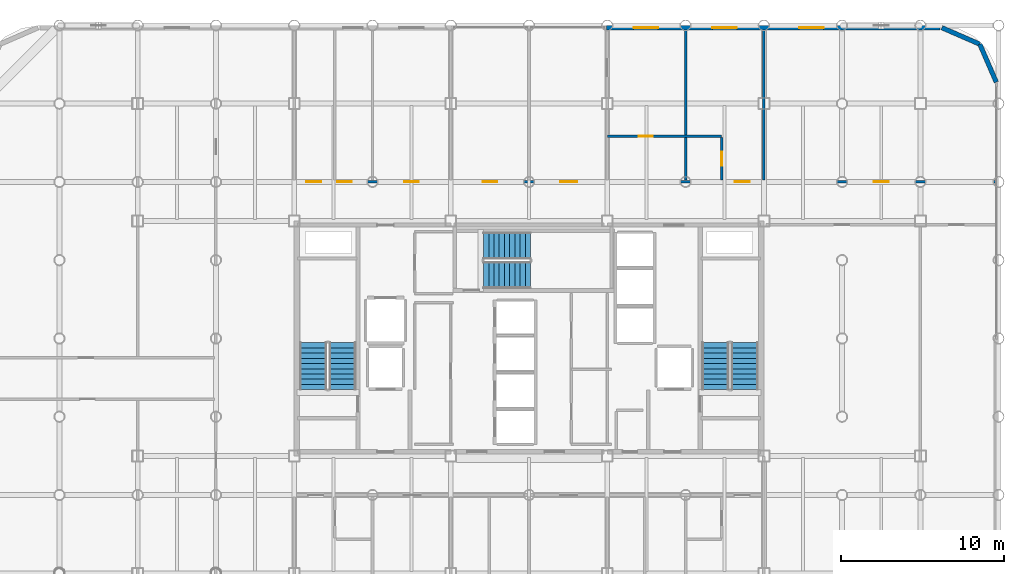
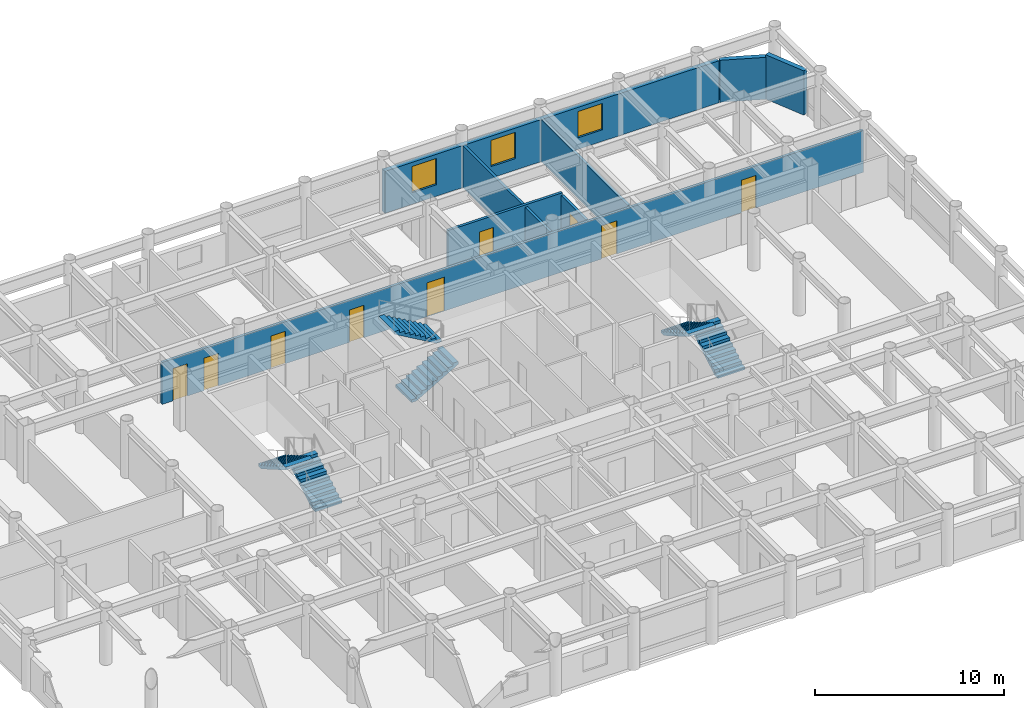
# One storey, part 19 of 20: 9 doors, 8 walls, 6 stair flights, 3 windows, 12 openings, 3 elements without a shape of their own.
"""IFC4 building model written with IfcOpenShell, lengths in metres."""

import ifcopenshell
import ifcopenshell.guid

model = None  # the IFC model being written
_history = None  # IfcOwnerHistory: only IFC2X3 demands one
_inside = {}  # id of a spatial element -> (the spatial element, [elements in it])
_under = {}  # id of a project, library or spatial element -> (it, [spatial elements below it])
_declared = {}  # id of a project -> (the project, [libraries it declares])
_typed = {}  # id of a type object -> (the type object, [elements of that type])
_made_of = {}  # id of a material, layer set ... -> (it, [elements and type objects made of it])


def new_model(schema):
    """Start an empty IFC model of exactly this schema.

    Asked for "IFC4X3", IfcOpenShell would pick the latest addendum, in which some entities
    have other attributes; the version numbers below select the first issue.
    IFC2X3 requires an IfcOwnerHistory on every rooted entity: one is made here for all.
    """
    global model, _history
    if schema == "IFC4X3":
        model = ifcopenshell.file(schema_version=(4, 3, 0, 0))
    else:
        model = ifcopenshell.file(schema=schema)
    _inside.clear()
    _under.clear()
    _declared.clear()
    _typed.clear()
    _made_of.clear()
    _history = None
    if model.schema == "IFC2X3":
        org = make("IfcOrganization", Name="unknown")
        user = make(
            "IfcPersonAndOrganization",
            ThePerson=make("IfcPerson", FamilyName="unknown"),
            TheOrganization=org,
        )
        app = make(
            "IfcApplication",
            ApplicationDeveloper=org,
            Version="unknown",
            ApplicationFullName="unknown",
            ApplicationIdentifier="unknown",
        )
        _history = make(
            "IfcOwnerHistory",
            OwningUser=user,
            OwningApplication=app,
            ChangeAction="ADDED",
            CreationDate=0,
        )
    return model


def make(cls, **values):
    """One entity of the class cls with the attributes given. An attribute that is None is left unset."""
    return model.create_entity(
        cls, **{name: value for name, value in values.items() if value is not None}
    )


def rooted(cls, **values):
    """An entity with a GlobalId (a new one), such as an element, a storey or a relation."""
    return make(cls, GlobalId=ifcopenshell.guid.new(), OwnerHistory=_history, **values)


def si_unit(unit_type, name, prefix=None):
    """IfcSIUnit, for example si_unit("LENGTHUNIT", "METRE", prefix="MILLI")."""
    return make("IfcSIUnit", UnitType=unit_type, Prefix=prefix, Name=name)


def assignment(units):
    """IfcUnitAssignment: the units of a project."""
    return None if units is None else make("IfcUnitAssignment", Units=units)


def point(xyz):
    """IfcCartesianPoint."""
    return None if xyz is None else make("IfcCartesianPoint", Coordinates=xyz)


def direction(xyz):
    """IfcDirection."""
    return None if xyz is None else make("IfcDirection", DirectionRatios=xyz)


def frame(location, z_axis=None, x_axis=None):
    """IfcAxis2Placement3D, a coordinate frame: its origin and axes. An axis left out is left unset."""
    return make(
        "IfcAxis2Placement3D",
        Location=point(location),
        Axis=direction(z_axis),
        RefDirection=direction(x_axis),
    )


def frame_2d(location, x_axis=None):
    """IfcAxis2Placement2D, a coordinate frame in the plane: its origin and x axis."""
    return make(
        "IfcAxis2Placement2D", Location=point(location), RefDirection=direction(x_axis)
    )


def origin():
    """The frame at (0, 0, 0) with its axes left unset."""
    return frame((0.0, 0.0, 0.0))


def place(relative_to, where):
    """IfcLocalPlacement: puts the frame where relative to a parent placement (None: the world)."""
    return make(
        "IfcLocalPlacement", PlacementRelTo=relative_to, RelativePlacement=where
    )


def context(
    kind, dimensions, precision=None, world=None, true_north=None, identifier=None
):
    """IfcGeometricRepresentationContext, for example the 3D "Model" context."""
    return make(
        "IfcGeometricRepresentationContext",
        ContextIdentifier=identifier,
        ContextType=kind,
        CoordinateSpaceDimension=dimensions,
        Precision=precision,
        WorldCoordinateSystem=world,
        TrueNorth=true_north,
    )


def subcontext(parent, identifier, kind, view, scale=None):
    """IfcGeometricRepresentationSubContext, for example "Body" below "Model"."""
    return make(
        "IfcGeometricRepresentationSubContext",
        ContextIdentifier=identifier,
        ContextType=kind,
        ParentContext=parent,
        TargetScale=scale,
        TargetView=view,
    )


def project(units=None, contexts=None):
    """IfcProject with its units and contexts."""
    return rooted(
        "IfcProject",
        Name="project",
        RepresentationContexts=contexts,
        UnitsInContext=assignment(units),
    )


def spatial(cls, under=None, at=None, **own):
    """A site, building, storey or space (cls), placed at a placement, below another one or the project."""
    s = rooted(cls, ObjectPlacement=at, **own)
    if under is not None:
        _under.setdefault(under.id(), (under, []))[1].append(s)
    return s


def polyline(points):
    """IfcPolyline through the points."""
    return make("IfcPolyline", Points=[point(p) for p in points])


def profile(cls, at=None, kind="AREA", **sizes):
    """A parametric profile (cls). Its sizes go by their IFC names, for example OverallWidth=200.0."""
    return make(cls, ProfileType=kind, Position=at, **sizes)


def rectangle(**sizes):
    """IfcRectangleProfileDef."""
    return profile("IfcRectangleProfileDef", **sizes)


def outline(outer, holes=None, kind="AREA"):
    """IfcArbitraryClosedProfileDef: a profile drawn as a closed curve; with holes, ...WithVoids."""
    if holes is None:
        return make("IfcArbitraryClosedProfileDef", ProfileType=kind, OuterCurve=outer)
    return make(
        "IfcArbitraryProfileDefWithVoids",
        ProfileType=kind,
        OuterCurve=outer,
        InnerCurves=holes,
    )


def extrude(swept, where, along, depth):
    """IfcExtrudedAreaSolid: the profile swept, set in the frame where, extruded along a direction by depth."""
    return make(
        "IfcExtrudedAreaSolid",
        SweptArea=swept,
        Position=where,
        ExtrudedDirection=direction(along),
        Depth=depth,
    )


def shape(context_of_items, identifier, shape_type, items):
    """IfcShapeRepresentation: the items that make up one representation, for example the "Body"."""
    return make(
        "IfcShapeRepresentation",
        ContextOfItems=context_of_items,
        RepresentationIdentifier=identifier,
        RepresentationType=shape_type,
        Items=items,
    )


def material(Name=None, Category=None):
    """IfcMaterial."""
    return make("IfcMaterial", Name=Name, Category=Category)


def layer(
    of_material, thickness, ventilated=None, Name=None, Category=None, Priority=None
):
    """IfcMaterialLayer: one layer of a wall or slab, of a material (None: an air gap)."""
    return make(
        "IfcMaterialLayer",
        Material=of_material,
        LayerThickness=thickness,
        IsVentilated=ventilated,
        Name=Name,
        Category=Category,
        Priority=Priority,
    )


def layer_set(layers, Name=None):
    """IfcMaterialLayerSet."""
    return make("IfcMaterialLayerSet", MaterialLayers=layers, LayerSetName=Name)


def made_of(thing, what):
    """Note that an element or type object is made of a material, layer set ...; save() writes the relation."""
    if what is not None:
        _made_of.setdefault(what.id(), (what, []))[1].append(thing)
    return thing


def type_object(cls, material=None, **own):
    """A type object (cls), such as IfcWallType, which elements share."""
    return made_of(rooted(cls, **own), material)


def element(
    cls,
    number,
    at=None,
    inside=None,
    cuts=None,
    type_object=None,
    material=None,
    context=None,
    identifier="Body",
    shape_type=None,
    held_by="IfcProductDefinitionShape",
    body=None,
    shapes=None,
    **own,
):
    """One element of the class cls, such as IfcWall. Its Tag is "e" and its number.

    at: its placement. inside: the storey or other place that contains it. cuts: it is an
    opening in that element (IfcRelVoidsElement). A single representation is given by context,
    identifier, shape_type and body (its items); several are given by shapes. held_by: the class
    of the entity that holds the representations. save() writes the other relations.
    """
    e = rooted(cls, Tag="e%d" % number, ObjectPlacement=at, **own)
    if body is not None:
        shapes = [shape(context, identifier, shape_type, body)]
    if shapes is not None:
        e.Representation = make(held_by, Representations=shapes)
    if inside is not None:
        _inside.setdefault(inside.id(), (inside, []))[1].append(e)
    if cuts is not None:
        rooted(
            "IfcRelVoidsElement", RelatingBuildingElement=cuts, RelatedOpeningElement=e
        )
    if type_object is not None:
        _typed.setdefault(type_object.id(), (type_object, []))[1].append(e)
    return made_of(e, material)


def fill(opening, filler):
    """IfcRelFillsElement: the door or window that sits in an opening."""
    return rooted(
        "IfcRelFillsElement",
        RelatingOpeningElement=opening,
        RelatedBuildingElement=filler,
    )


def aggregate(whole, parts):
    """IfcRelAggregates: a whole, such as a stair, and the parts it consists of."""
    return rooted("IfcRelAggregates", RelatingObject=whole, RelatedObjects=parts)


def save(model, path):
    """Write the relations noted so far, then the file.

    IfcRelAggregates (storeys below a building ...), IfcRelContainedInSpatialStructure (elements
    in a storey), IfcRelDefinesByType, IfcRelAssociatesMaterial and IfcRelDeclares: one each for
    every whole, place, type object, material and project.
    """
    for whole, parts in _under.values():
        aggregate(whole, parts)
    for where, things in _inside.values():
        rooted(
            "IfcRelContainedInSpatialStructure",
            RelatedElements=things,
            RelatingStructure=where,
        )
    for kind, things in _typed.values():
        rooted("IfcRelDefinesByType", RelatedObjects=things, RelatingType=kind)
    for what, things in _made_of.values():
        rooted("IfcRelAssociatesMaterial", RelatedObjects=things, RelatingMaterial=what)
    for by, libraries in _declared.values():
        rooted("IfcRelDeclares", RelatingContext=by, RelatedDefinitions=libraries)
    model.write(path)


model = new_model("IFC4")

# Units and contexts
model_context = context("Model", 3, precision=1e-05, world=origin(), true_north=direction((0.0, 1.0)))
body_context = subcontext(model_context, "Body", "Model", "MODEL_VIEW")
ifc_project = project(units=[si_unit("LENGTHUNIT", "METRE"), si_unit("AREAUNIT", "SQUARE_METRE"), si_unit("VOLUMEUNIT", "CUBIC_METRE"), si_unit("PLANEANGLEUNIT", "RADIAN"), si_unit("MASSUNIT", "GRAM", prefix="KILO")], contexts=[model_context])

# Site, building, storey
site_placement = place(None, origin())
site = spatial("IfcSite", under=ifc_project, at=site_placement, CompositionType="ELEMENT")
building_placement = place(site_placement, origin())
building = spatial("IfcBuilding", under=site, at=building_placement, Name="Kallvorn Hotel Tower", CompositionType="ELEMENT")
storey_placement = place(building_placement, frame((0.0, 0.0, 158.10009765625)))
storey = spatial("IfcBuildingStorey", under=building, at=storey_placement, Name="L39", CompositionType="ELEMENT", Elevation=158.10009765625)

# Wall, openings, doors
ifc_material_1 = material(Name="Fire-rated double-layer acoustic gypsum drywall EI 60")
ifc_layer_1 = layer(ifc_material_1, 0.159912109375)
ifc_layer_set_1 = layer_set([ifc_layer_1], Name="WL_DEMISE_160")
wall_type_1 = type_object("IfcWallType", Name="WL_DEMISE_160", PredefinedType="PARTITIONING", material=ifc_layer_set_1)
wall_1_placement = place(storey_placement, frame((-14.320068359375, 9.60009765625, 0.0), z_axis=(0.0, 0.0, 1.0), x_axis=(1.0, 0.0, 0.0)))
wall_1 = element("IfcWall", 1, at=wall_1_placement, inside=storey, type_object=wall_type_1, Name="L39 Suite 3905 Junior Living Salon Partition", PredefinedType="PARTITIONING", context=body_context, shape_type="SweptSolid", body=[
    extrude(rectangle(XDim=42.949951171875, YDim=0.159912109375, at=frame_2d((21.47509765625, 0.0))), origin(), (0.0, 0.0, 1.0), 2.719970703125),
])
opening_1_placement = place(wall_1_placement, frame((35.469970703125, 0.0, 0.0)))
opening_1 = element("IfcOpeningElement", 2, at=opening_1_placement, cuts=wall_1, Name="Opening SVD1", PredefinedType="OPENING", context=body_context, shape_type="SweptSolid", body=[
    extrude(rectangle(XDim=0.89990234375, YDim=2.10009765625, at=frame_2d((0.449951171875, 1.050048828125))), frame((0.0, 0.094970703125, 0.0), z_axis=(0.0, -1.0, 0.0), x_axis=(1.0, 0.0, 0.0)), (0.0, 0.0, 1.0), 0.18994140625),
])
opening_2_placement = place(wall_1_placement, frame((0.669921875, 0.0, 0.0)))
opening_2 = element("IfcOpeningElement", 3, at=opening_2_placement, cuts=wall_1, Name="Opening SVD1", PredefinedType="OPENING", context=body_context, shape_type="SweptSolid", body=[
    extrude(rectangle(XDim=0.89990234375, YDim=2.10009765625, at=frame_2d((0.449951171875, 1.050048828125))), frame((0.0, 0.094970703125, 0.0), z_axis=(0.0, -1.0, 0.0), x_axis=(1.0, 0.0, 0.0)), (0.0, 0.0, 1.0), 0.18994140625),
])
opening_3_placement = place(wall_1_placement, frame((2.56005859375, 0.0, 0.0)))
opening_3 = element("IfcOpeningElement", 4, at=opening_3_placement, cuts=wall_1, Name="Opening SVD1", PredefinedType="OPENING", context=body_context, shape_type="SweptSolid", body=[
    extrude(rectangle(XDim=0.89990234375, YDim=2.10009765625, at=frame_2d((0.449951171875, 1.050048828125))), frame((0.0, 0.094970703125, 0.0), z_axis=(0.0, -1.0, 0.0), x_axis=(1.0, 0.0, 0.0)), (0.0, 0.0, 1.0), 0.18994140625),
])
opening_4_placement = place(wall_1_placement, frame((6.669921875, 0.0, 0.0)))
opening_4 = element("IfcOpeningElement", 5, at=opening_4_placement, cuts=wall_1, Name="Opening SVD1", PredefinedType="OPENING", context=body_context, shape_type="SweptSolid", body=[
    extrude(rectangle(XDim=0.89990234375, YDim=2.10009765625, at=frame_2d((0.449951171875, 1.050048828125))), frame((0.0, 0.094970703125, 0.0), z_axis=(0.0, -1.0, 0.0), x_axis=(1.0, 0.0, 0.0)), (0.0, 0.0, 1.0), 0.18994140625),
])
opening_5_placement = place(wall_1_placement, frame((11.469970703125, 0.0, 0.0)))
opening_5 = element("IfcOpeningElement", 6, at=opening_5_placement, cuts=wall_1, Name="Opening SVD1", PredefinedType="OPENING", context=body_context, shape_type="SweptSolid", body=[
    extrude(rectangle(XDim=0.89990234375, YDim=2.10009765625, at=frame_2d((0.449951171875, 1.050048828125))), frame((0.0, 0.094970703125, 0.0), z_axis=(0.0, -1.0, 0.0), x_axis=(1.0, 0.0, 0.0)), (0.0, 0.0, 1.0), 0.18994140625),
])
opening_6_placement = place(wall_1_placement, frame((16.235107421875, 0.0, 0.0)))
opening_6 = element("IfcOpeningElement", 7, at=opening_6_placement, cuts=wall_1, Name="Opening GD2", PredefinedType="OPENING", context=body_context, shape_type="SweptSolid", body=[
    extrude(rectangle(XDim=1.050048828125, YDim=2.199951171875, at=frame_2d((0.52490234375, 1.10009765625))), frame((0.0, 0.094970703125, 0.0), z_axis=(0.0, -1.0, 0.0), x_axis=(1.0, 0.0, 0.0)), (0.0, 0.0, 1.0), 0.18994140625),
])
opening_7_placement = place(wall_1_placement, frame((26.925048828125, 0.0, 0.0)))
opening_7 = element("IfcOpeningElement", 8, at=opening_7_placement, cuts=wall_1, Name="Opening GD1", PredefinedType="OPENING", context=body_context, shape_type="SweptSolid", body=[
    extrude(rectangle(XDim=0.919921875, YDim=2.14990234375, at=frame_2d((0.4599609375, 1.074951171875))), frame((0.0, 0.094970703125, 0.0), z_axis=(0.0, -1.0, 0.0), x_axis=(1.0, 0.0, 0.0)), (0.0, 0.0, 1.0), 0.18994140625),
])
ifc_material_2 = material(Name="Solid-core walnut veneer fire-rated timber door leaf", Category="wood")
door_type_1 = type_object("IfcDoorType", Name="DR_GUEST_920x2150", OperationType="NOTDEFINED", PredefinedType="DOOR", material=ifc_material_2)
door_1_placement = place(opening_7_placement, origin())
door_1 = element("IfcDoor", 9, at=door_1_placement, inside=storey, type_object=door_type_1, Name="L39 Suite 3906 Standard Twin Room Door", OperationType="SINGLE_SWING_RIGHT", OverallHeight=2.14990234375, OverallWidth=0.919921875, PredefinedType="DOOR", context=body_context, shape_type="SweptSolid", body=[
    extrude(rectangle(XDim=0.919921875, YDim=2.14990234375, at=frame_2d((0.4599609375, 1.074951171875))), frame((0.0, 0.02490234375, 0.0), z_axis=(0.0, -1.0, 0.0), x_axis=(1.0, 0.0, 0.0)), (0.0, 0.0, 1.0), 0.050048828125),
])
fill(opening_7, door_1)
ifc_material_3 = material(Name="Galvanised painted steel fire-rated door assembly", Category="steel")
door_type_2 = type_object("IfcDoorType", Name="DR_SERV_900x2100", OperationType="NOTDEFINED", PredefinedType="DOOR", material=ifc_material_3)
door_2_placement = place(opening_1_placement, origin())
door_2 = element("IfcDoor", 10, at=door_2_placement, inside=storey, type_object=door_type_2, Name="L39 L39 North-East Monserrate Banquet Hall Door", OperationType="SINGLE_SWING_RIGHT", OverallHeight=2.10009765625, OverallWidth=0.89990234375, PredefinedType="DOOR", context=body_context, shape_type="SweptSolid", body=[
    extrude(rectangle(XDim=0.89990234375, YDim=2.10009765625, at=frame_2d((0.449951171875, 1.050048828125))), frame((0.0, 0.02490234375, 0.0), z_axis=(0.0, -1.0, 0.0), x_axis=(1.0, 0.0, 0.0)), (0.0, 0.0, 1.0), 0.050048828125),
])
fill(opening_1, door_2)
door_3_placement = place(opening_2_placement, origin())
door_3 = element("IfcDoor", 11, at=door_3_placement, inside=storey, type_object=door_type_2, Name="L39 Housekeeping and Linen Room Door", OperationType="SINGLE_SWING_LEFT", OverallHeight=2.10009765625, OverallWidth=0.89990234375, PredefinedType="DOOR", context=body_context, shape_type="SweptSolid", body=[
    extrude(rectangle(XDim=0.89990234375, YDim=2.10009765625, at=frame_2d((0.449951171875, 1.050048828125))), frame((0.0, 0.02490234375, 0.0), z_axis=(0.0, -1.0, 0.0), x_axis=(1.0, 0.0, 0.0)), (0.0, 0.0, 1.0), 0.050048828125),
])
fill(opening_2, door_3)
door_4_placement = place(opening_3_placement, origin())
door_4 = element("IfcDoor", 12, at=door_4_placement, inside=storey, type_object=door_type_2, Name="L39 Guest Tea and Refreshment Bar Door", OperationType="SINGLE_SWING_RIGHT", OverallHeight=2.10009765625, OverallWidth=0.89990234375, PredefinedType="DOOR", context=body_context, shape_type="SweptSolid", body=[
    extrude(rectangle(XDim=0.89990234375, YDim=2.10009765625, at=frame_2d((0.449951171875, 1.050048828125))), frame((0.0, 0.02490234375, 0.0), z_axis=(0.0, -1.0, 0.0), x_axis=(1.0, 0.0, 0.0)), (0.0, 0.0, 1.0), 0.050048828125),
])
fill(opening_3, door_4)
door_5_placement = place(opening_4_placement, origin())
door_5 = element("IfcDoor", 13, at=door_5_placement, inside=storey, type_object=door_type_2, Name="L39 L39 Executive Co-Working Open-Plan Office 2-1 Door", OperationType="SINGLE_SWING_RIGHT", OverallHeight=2.10009765625, OverallWidth=0.89990234375, PredefinedType="DOOR", context=body_context, shape_type="SweptSolid", body=[
    extrude(rectangle(XDim=0.89990234375, YDim=2.10009765625, at=frame_2d((0.449951171875, 1.050048828125))), frame((0.0, 0.02490234375, 0.0), z_axis=(0.0, -1.0, 0.0), x_axis=(1.0, 0.0, 0.0)), (0.0, 0.0, 1.0), 0.050048828125),
])
fill(opening_4, door_5)
door_6_placement = place(opening_5_placement, origin())
door_6 = element("IfcDoor", 14, at=door_6_placement, inside=storey, type_object=door_type_2, Name="L39 L39 Executive Co-Working Open-Plan Office 2-2 Door", OperationType="SINGLE_SWING_LEFT", OverallHeight=2.10009765625, OverallWidth=0.89990234375, PredefinedType="DOOR", context=body_context, shape_type="SweptSolid", body=[
    extrude(rectangle(XDim=0.89990234375, YDim=2.10009765625, at=frame_2d((0.449951171875, 1.050048828125))), frame((0.0, 0.02490234375, 0.0), z_axis=(0.0, -1.0, 0.0), x_axis=(1.0, 0.0, 0.0)), (0.0, 0.0, 1.0), 0.050048828125),
])
fill(opening_5, door_6)
ifc_material_4 = material(Name="Solid-core walnut veneer fire-rated timber door leaf", Category="wood")
door_type_3 = type_object("IfcDoorType", Name="DR_SUITE_1050x2200", OperationType="NOTDEFINED", PredefinedType="DOOR", material=ifc_material_4)
door_7_placement = place(opening_6_placement, origin())
door_7 = element("IfcDoor", 15, at=door_7_placement, inside=storey, type_object=door_type_3, Name="L39 Suite 3905 Junior Living Salon Door", OperationType="SINGLE_SWING_RIGHT", OverallHeight=2.199951171875, OverallWidth=1.050048828125, PredefinedType="DOOR", context=body_context, shape_type="SweptSolid", body=[
    extrude(rectangle(XDim=1.050048828125, YDim=2.199951171875, at=frame_2d((0.52490234375, 1.10009765625))), frame((0.0, 0.02490234375, 0.0), z_axis=(0.0, -1.0, 0.0), x_axis=(1.0, 0.0, 0.0)), (0.0, 0.0, 1.0), 0.050048828125),
])
fill(opening_6, door_7)

# Wall, opening, door
wall_2_placement = place(storey_placement, frame((4.800048828125, 12.39501953125, 0.0), z_axis=(0.0, 0.0, 1.0), x_axis=(1.0, 0.0, 0.0)))
wall_2 = element("IfcWall", 16, at=wall_2_placement, inside=storey, type_object=wall_type_1, Name="L39 Suite 3905 Junior Bedroom Partition", PredefinedType="PARTITIONING", context=body_context, shape_type="SweptSolid", body=[
    extrude(rectangle(XDim=7.010009765625, YDim=0.159912109375, at=frame_2d((3.5048828125, 0.0))), origin(), (0.0, 0.0, 1.0), 2.869873046875),
])
opening_8_placement = place(wall_2_placement, frame((1.929931640625, 0.0, 0.0)))
opening_8 = element("IfcOpeningElement", 17, at=opening_8_placement, cuts=wall_2, Name="Opening BD-I", PredefinedType="OPENING", context=body_context, shape_type="SweptSolid", body=[
    extrude(rectangle(XDim=0.860107421875, YDim=2.10009765625, at=frame_2d((0.43017578125, 1.050048828125))), frame((0.0, 0.094970703125, 0.0), z_axis=(0.0, -1.0, 0.0), x_axis=(1.0, 0.0, 0.0)), (0.0, 0.0, 1.0), 0.18994140625),
])
ifc_material_5 = material(Name="Solid-core walnut veneer fire-rated timber door leaf", Category="wood")
door_type_4 = type_object("IfcDoorType", Name="DR_BATH_860x2100", OperationType="NOTDEFINED", PredefinedType="DOOR", material=ifc_material_5)
door_8_placement = place(opening_8_placement, origin())
door_8 = element("IfcDoor", 18, at=door_8_placement, inside=storey, type_object=door_type_4, Name="L39 Suite 3905 En-Suite Bathroom Door", OperationType="SINGLE_SWING_RIGHT", OverallHeight=2.10009765625, OverallWidth=0.860107421875, PredefinedType="DOOR", context=body_context, shape_type="SweptSolid", body=[
    extrude(rectangle(XDim=0.860107421875, YDim=2.10009765625, at=frame_2d((0.43017578125, 1.050048828125))), frame((0.0, 0.02490234375, 0.0), z_axis=(0.0, -1.0, 0.0), x_axis=(1.0, 0.0, 0.0)), (0.0, 0.0, 1.0), 0.050048828125),
])
fill(opening_8, door_8)

# Wall
wall_3_placement = place(storey_placement, frame((9.60009765625, 9.719970703125, 0.0), z_axis=(0.0, 0.0, 1.0), x_axis=(0.0, 1.0, 0.0)))
element("IfcWall", 19, at=wall_3_placement, inside=storey, type_object=wall_type_1, Name="L39 Suite 3906 Standard Twin Room Partition", PredefinedType="PARTITIONING", context=body_context, shape_type="SweptSolid", body=[
    extrude(rectangle(XDim=9.18994140625, YDim=0.159912109375, at=frame_2d((4.594970703125, 0.0))), origin(), (0.0, 0.0, 1.0), 2.719970703125),
])

# Wall, opening, door
wall_4_placement = place(storey_placement, frame((11.81005859375, 9.719970703125, 0.0), z_axis=(0.0, 0.0, 1.0), x_axis=(0.0, 1.0, 0.0)))
wall_4 = element("IfcWall", 20, at=wall_4_placement, inside=storey, type_object=wall_type_1, Name="L39 Suite 3906 Standard Twin Room Partition", PredefinedType="PARTITIONING", context=body_context, shape_type="SweptSolid", body=[
    extrude(rectangle(XDim=2.590087890625, YDim=0.159912109375, at=frame_2d((1.294921875, 0.0))), origin(), (0.0, 0.0, 1.0), 2.719970703125),
])
opening_9_placement = place(wall_4_placement, frame((0.8701171875, 0.0, 0.0)))
opening_9 = element("IfcOpeningElement", 21, at=opening_9_placement, cuts=wall_4, Name="Opening BD-I", PredefinedType="OPENING", context=body_context, shape_type="SweptSolid", body=[
    extrude(rectangle(XDim=0.860107421875, YDim=2.10009765625, at=frame_2d((0.43017578125, 1.050048828125))), frame((0.0, 0.094970703125, 0.0), z_axis=(0.0, -1.0, 0.0), x_axis=(1.0, 0.0, 0.0)), (0.0, 0.0, 1.0), 0.18994140625),
])
door_9_placement = place(opening_9_placement, origin())
door_9 = element("IfcDoor", 22, at=door_9_placement, inside=storey, type_object=door_type_4, Name="L39 Suite 3906 En-Suite Bathroom Door", OperationType="SINGLE_SWING_RIGHT", OverallHeight=2.10009765625, OverallWidth=0.860107421875, PredefinedType="DOOR", context=body_context, shape_type="SweptSolid", body=[
    extrude(rectangle(XDim=0.860107421875, YDim=2.10009765625, at=frame_2d((0.43017578125, 1.050048828125))), frame((0.0, 0.02490234375, 0.0), z_axis=(0.0, -1.0, 0.0), x_axis=(1.0, 0.0, 0.0)), (0.0, 0.0, 1.0), 0.050048828125),
])
fill(opening_9, door_9)

# Walls
wall_5_placement = place(storey_placement, frame((14.39990234375, 9.719970703125, 0.0), z_axis=(0.0, 0.0, 1.0), x_axis=(0.0, 1.0, 0.0)))
element("IfcWall", 23, at=wall_5_placement, inside=storey, type_object=wall_type_1, Name="L39 Suite 3906 Standard Twin Room Partition", PredefinedType="PARTITIONING", context=body_context, shape_type="SweptSolid", body=[
    extrude(rectangle(XDim=9.18994140625, YDim=0.159912109375, at=frame_2d((4.594970703125, 0.0))), origin(), (0.0, 0.0, 1.0), 2.719970703125),
])
ifc_material_6 = material(Name="Precast basalt-clad insulated concrete wall C40/50", Category="masonry")
ifc_layer_2 = layer(ifc_material_6, 0.280029296875)
ifc_layer_set_2 = layer_set([ifc_layer_2], Name="WL_EXT_LOGGIA_280")
wall_type_2 = type_object("IfcWallType", Name="WL_EXT_LOGGIA_280", PredefinedType="SOLIDWALL", material=ifc_layer_set_2)
wall_6_placement = place(storey_placement, frame((28.657958984375, 15.720703125, 0.0), z_axis=(0.0, 0.0, 1.0), x_axis=(-0.398792985289, 0.917040977756, 0.0)))
element("IfcWall", 24, at=wall_6_placement, inside=storey, type_object=wall_type_2, Name="L39 Rounded Corner Exterior Wall NE1", PredefinedType="SOLIDWALL", context=body_context, shape_type="SweptSolid", body=[
    extrude(rectangle(XDim=2.536376953125, YDim=0.280029296875, at=frame_2d((1.26806640625, 0.0))), origin(), (0.0, 0.0, 1.0), 2.869873046875),
])
wall_7_placement = place(storey_placement, frame((27.646484375, 18.046630859375, 0.0), z_axis=(0.0, 0.0, 1.0), x_axis=(-0.917060872934, 0.398747232384, 0.0)))
element("IfcWall", 25, at=wall_7_placement, inside=storey, type_object=wall_type_2, Name="L39 Rounded Corner Exterior Wall NE2", PredefinedType="SOLIDWALL", context=body_context, shape_type="SweptSolid", body=[
    extrude(rectangle(XDim=2.5361328125, YDim=0.280029296875, at=frame_2d((1.26806640625, 0.0))), origin(), (0.0, 0.0, 1.0), 2.719970703125),
])

# Wall, openings, windows
wall_8_placement = place(storey_placement, frame((4.75, 19.06005859375, 0.0), z_axis=(0.0, 0.0, 1.0), x_axis=(1.0, 0.0, 0.0)))
wall_8 = element("IfcWall", 26, at=wall_8_placement, inside=storey, type_object=wall_type_2, Name="L39 Exterior Envelope Wall EW-L39-NE", PredefinedType="SOLIDWALL", context=body_context, shape_type="SweptSolid", body=[
    extrude(rectangle(XDim=20.449951171875, YDim=0.280029296875, at=frame_2d((10.22509765625, 0.0))), origin(), (0.0, 0.0, 1.0), 2.719970703125),
])
opening_10_placement = place(wall_8_placement, frame((11.81689453125, 0.0, 0.75)))
opening_10 = element("IfcOpeningElement", 27, at=opening_10_placement, cuts=wall_8, Name="Opening W05", PredefinedType="OPENING", context=body_context, shape_type="SweptSolid", body=[
    extrude(rectangle(XDim=1.5, YDim=1.699951171875, at=frame_2d((0.75, 0.85009765625))), frame((0.0, 0.155029296875, 0.0), z_axis=(0.0, -1.0, 0.0), x_axis=(1.0, 0.0, 0.0)), (0.0, 0.0, 1.0), 0.31005859375),
])
opening_11_placement = place(wall_8_placement, frame((1.659912109375, 0.0, 0.75)))
opening_11 = element("IfcOpeningElement", 28, at=opening_11_placement, cuts=wall_8, Name="Opening W05", PredefinedType="OPENING", context=body_context, shape_type="SweptSolid", body=[
    extrude(rectangle(XDim=1.5, YDim=1.699951171875, at=frame_2d((0.75, 0.85009765625))), frame((0.0, 0.155029296875, 0.0), z_axis=(0.0, -1.0, 0.0), x_axis=(1.0, 0.0, 0.0)), (0.0, 0.0, 1.0), 0.31005859375),
])
opening_12_placement = place(wall_8_placement, frame((6.5, 0.0, 0.75)))
opening_12 = element("IfcOpeningElement", 29, at=opening_12_placement, cuts=wall_8, Name="Opening W05", PredefinedType="OPENING", context=body_context, shape_type="SweptSolid", body=[
    extrude(rectangle(XDim=1.5, YDim=1.699951171875, at=frame_2d((0.75, 0.85009765625))), frame((0.0, 0.155029296875, 0.0), z_axis=(0.0, -1.0, 0.0), x_axis=(1.0, 0.0, 0.0)), (0.0, 0.0, 1.0), 0.31005859375),
])
ifc_material_7 = material(Name="Double-glazed low-e solar-control dark glass", Category="glass")
window_type = type_object("IfcWindowType", Name="WN_HTL_1500x1700", PartitioningType="SINGLE_PANEL", PredefinedType="WINDOW", material=ifc_material_7)
window_1_placement = place(opening_10_placement, origin())
window_1 = element("IfcWindow", 30, at=window_1_placement, inside=storey, type_object=window_type, Name="L39 Guestroom Exterior Window 04", OverallHeight=1.699951171875, OverallWidth=1.5, PartitioningType="SINGLE_PANEL", PredefinedType="WINDOW", context=body_context, shape_type="SweptSolid", body=[
    extrude(rectangle(XDim=1.5, YDim=1.699951171875, at=frame_2d((0.75, 0.85009765625))), frame((0.0, 0.030029296875, 0.0), z_axis=(0.0, -1.0, 0.0), x_axis=(1.0, 0.0, 0.0)), (0.0, 0.0, 1.0), 0.06005859375),
])
fill(opening_10, window_1)
window_2_placement = place(opening_11_placement, origin())
window_2 = element("IfcWindow", 31, at=window_2_placement, inside=storey, type_object=window_type, Name="L39 Guestroom Exterior Window 12", OverallHeight=1.699951171875, OverallWidth=1.5, PartitioningType="SINGLE_PANEL", PredefinedType="WINDOW", context=body_context, shape_type="SweptSolid", body=[
    extrude(rectangle(XDim=1.5, YDim=1.699951171875, at=frame_2d((0.75, 0.85009765625))), frame((0.0, 0.030029296875, 0.0), z_axis=(0.0, -1.0, 0.0), x_axis=(1.0, 0.0, 0.0)), (0.0, 0.0, 1.0), 0.06005859375),
])
fill(opening_11, window_2)
window_3_placement = place(opening_12_placement, origin())
window_3 = element("IfcWindow", 32, at=window_3_placement, inside=storey, type_object=window_type, Name="L39 Guestroom Exterior Window 13", OverallHeight=1.699951171875, OverallWidth=1.5, PartitioningType="SINGLE_PANEL", PredefinedType="WINDOW", context=body_context, shape_type="SweptSolid", body=[
    extrude(rectangle(XDim=1.5, YDim=1.699951171875, at=frame_2d((0.75, 0.85009765625))), frame((0.0, 0.030029296875, 0.0), z_axis=(0.0, -1.0, 0.0), x_axis=(1.0, 0.0, 0.0)), (0.0, 0.0, 1.0), 0.06005859375),
])
fill(opening_12, window_3)

# Stair, stair flights
ifc_material_8 = material(Name="Precast concrete C40/50", Category="concrete")
stair_type = type_object("IfcStairType", Name="STR_CORE_DOGLEG", PredefinedType="HALF_TURN_STAIR", material=ifc_material_8)
stair_1_placement = place(storey_placement, origin())
stair_1 = element("IfcStair", 33, at=stair_1_placement, inside=storey, type_object=stair_type, Name="L39 Exit stair ST1", PredefinedType="HALF_TURN_STAIR")
ifc_material_9 = material(Name="Precast concrete C40/50", Category="concrete")
stair_flight_type = type_object("IfcStairFlightType", Name="FLT_CORE_1660", PredefinedType="STRAIGHT", material=ifc_material_9)
stair_flight_1_placement = place(storey_placement, frame((-11.429931640625, -3.139892578125, 0.0), z_axis=(0.0, 0.0, 1.0), x_axis=(0.0, 1.0, 0.0)))
stair_flight_1 = element("IfcStairFlight", 34, at=stair_flight_1_placement, type_object=stair_flight_type, Name="ST1 flight 1", NumberOfRisers=10, NumberOfTreads=9, PredefinedType="STRAIGHT", RiserHeight=0.185, TreadLength=0.32, context=body_context, shape_type="SweptSolid", body=[
    extrude(outline(polyline([(0.0, 0.0), (0.0, 0.18505859375), (0.320068359375, 0.18505859375), (0.320068359375, 0.3701171875), (0.639892578125, 0.3701171875), (0.639892578125, 0.554931640625), (0.9599609375, 0.554931640625), (0.9599609375, 0.739990234375), (1.280029296875, 0.739990234375), (1.280029296875, 0.925048828125), (1.60009765625, 0.925048828125), (1.60009765625, 1.110107421875), (1.919921875, 1.110107421875), (1.919921875, 1.294921875), (2.239990234375, 1.294921875), (2.239990234375, 1.47998046875), (2.56005859375, 1.47998046875), (2.56005859375, 1.6650390625), (2.8798828125, 1.6650390625), (2.8798828125, 1.85009765625), (2.8798828125, 1.491943359375), (0.299560546875, 0.0), (0.0, 0.0)])), frame((0.0, 0.830078125, 0.0), z_axis=(0.0, -1.0, 0.0), x_axis=(1.0, 0.0, 0.0)), (0.0, 0.0, 1.0), 1.659912109375),
])
stair_flight_2_placement = place(storey_placement, frame((-13.22998046875, -0.260009765625, 1.849853515625), z_axis=(0.0, 0.0, 1.0), x_axis=(0.0, -1.0, 0.0)))
stair_flight_2 = element("IfcStairFlight", 35, at=stair_flight_2_placement, type_object=stair_flight_type, Name="ST1 flight 2", NumberOfRisers=10, NumberOfTreads=9, PredefinedType="STRAIGHT", RiserHeight=0.185, TreadLength=0.32, context=body_context, shape_type="SweptSolid", body=[
    extrude(outline(polyline([(0.0, 0.0), (0.0, 0.18505859375), (0.320068359375, 0.18505859375), (0.320068359375, 0.3701171875), (0.639892578125, 0.3701171875), (0.639892578125, 0.554931640625), (0.9599609375, 0.554931640625), (0.9599609375, 0.739990234375), (1.280029296875, 0.739990234375), (1.280029296875, 0.925048828125), (1.60009765625, 0.925048828125), (1.60009765625, 1.110107421875), (1.919921875, 1.110107421875), (1.919921875, 1.294921875), (2.239990234375, 1.294921875), (2.239990234375, 1.47998046875), (2.56005859375, 1.47998046875), (2.56005859375, 1.6650390625), (2.8798828125, 1.6650390625), (2.8798828125, 1.85009765625), (2.8798828125, 1.491943359375), (0.299560546875, 0.0), (0.0, 0.0)])), frame((0.0, 0.830078125, 0.0), z_axis=(0.0, -1.0, 0.0), x_axis=(1.0, 0.0, 0.0)), (0.0, 0.0, 1.0), 1.659912109375),
])
aggregate(stair_1, [stair_flight_1, stair_flight_2])

stair_2_placement = place(storey_placement, origin())
stair_2 = element("IfcStair", 36, at=stair_2_placement, inside=storey, type_object=stair_type, Name="L39 Exit stair ST2", PredefinedType="HALF_TURN_STAIR")
stair_flight_3_placement = place(storey_placement, frame((13.22998046875, -3.139892578125, 0.0), z_axis=(0.0, 0.0, 1.0), x_axis=(0.0, 1.0, 0.0)))
stair_flight_3 = element("IfcStairFlight", 37, at=stair_flight_3_placement, type_object=stair_flight_type, Name="ST2 flight 1", NumberOfRisers=10, NumberOfTreads=9, PredefinedType="STRAIGHT", RiserHeight=0.185, TreadLength=0.32, context=body_context, shape_type="SweptSolid", body=[
    extrude(outline(polyline([(0.0, 0.0), (0.0, 0.18505859375), (0.320068359375, 0.18505859375), (0.320068359375, 0.3701171875), (0.639892578125, 0.3701171875), (0.639892578125, 0.554931640625), (0.9599609375, 0.554931640625), (0.9599609375, 0.739990234375), (1.280029296875, 0.739990234375), (1.280029296875, 0.925048828125), (1.60009765625, 0.925048828125), (1.60009765625, 1.110107421875), (1.919921875, 1.110107421875), (1.919921875, 1.294921875), (2.239990234375, 1.294921875), (2.239990234375, 1.47998046875), (2.56005859375, 1.47998046875), (2.56005859375, 1.6650390625), (2.8798828125, 1.6650390625), (2.8798828125, 1.85009765625), (2.8798828125, 1.491943359375), (0.299560546875, 0.0), (0.0, 0.0)])), frame((0.0, 0.830078125, 0.0), z_axis=(0.0, -1.0, 0.0), x_axis=(1.0, 0.0, 0.0)), (0.0, 0.0, 1.0), 1.659912109375),
])
stair_flight_4_placement = place(storey_placement, frame((11.429931640625, -0.260009765625, 1.849853515625), z_axis=(0.0, 0.0, 1.0), x_axis=(0.0, -1.0, 0.0)))
stair_flight_4 = element("IfcStairFlight", 38, at=stair_flight_4_placement, type_object=stair_flight_type, Name="ST2 flight 2", NumberOfRisers=10, NumberOfTreads=9, PredefinedType="STRAIGHT", RiserHeight=0.185, TreadLength=0.32, context=body_context, shape_type="SweptSolid", body=[
    extrude(outline(polyline([(0.0, 0.0), (0.0, 0.18505859375), (0.320068359375, 0.18505859375), (0.320068359375, 0.3701171875), (0.639892578125, 0.3701171875), (0.639892578125, 0.554931640625), (0.9599609375, 0.554931640625), (0.9599609375, 0.739990234375), (1.280029296875, 0.739990234375), (1.280029296875, 0.925048828125), (1.60009765625, 0.925048828125), (1.60009765625, 1.110107421875), (1.919921875, 1.110107421875), (1.919921875, 1.294921875), (2.239990234375, 1.294921875), (2.239990234375, 1.47998046875), (2.56005859375, 1.47998046875), (2.56005859375, 1.6650390625), (2.8798828125, 1.6650390625), (2.8798828125, 1.85009765625), (2.8798828125, 1.491943359375), (0.299560546875, 0.0), (0.0, 0.0)])), frame((0.0, 0.830078125, 0.0), z_axis=(0.0, -1.0, 0.0), x_axis=(1.0, 0.0, 0.0)), (0.0, 0.0, 1.0), 1.659912109375),
])
aggregate(stair_2, [stair_flight_3, stair_flight_4])

stair_3_placement = place(storey_placement, origin())
stair_3 = element("IfcStair", 39, at=stair_3_placement, inside=storey, type_object=stair_type, Name="L39 Exit stair ST3", PredefinedType="HALF_TURN_STAIR")
stair_flight_5_placement = place(storey_placement, frame((-2.7900390625, 3.8798828125, 0.0), z_axis=(0.0, 0.0, 1.0), x_axis=(1.0, 0.0, 0.0)))
stair_flight_5 = element("IfcStairFlight", 40, at=stair_flight_5_placement, type_object=stair_flight_type, Name="ST3 flight 1", NumberOfRisers=10, NumberOfTreads=9, PredefinedType="STRAIGHT", RiserHeight=0.185, TreadLength=0.32, context=body_context, shape_type="SweptSolid", body=[
    extrude(outline(polyline([(0.0, 0.0), (0.0, 0.18505859375), (0.320068359375, 0.18505859375), (0.320068359375, 0.3701171875), (0.639892578125, 0.3701171875), (0.639892578125, 0.554931640625), (0.9599609375, 0.554931640625), (0.9599609375, 0.739990234375), (1.280029296875, 0.739990234375), (1.280029296875, 0.925048828125), (1.60009765625, 0.925048828125), (1.60009765625, 1.110107421875), (1.919921875, 1.110107421875), (1.919921875, 1.294921875), (2.239990234375, 1.294921875), (2.239990234375, 1.47998046875), (2.56005859375, 1.47998046875), (2.56005859375, 1.6650390625), (2.8798828125, 1.6650390625), (2.8798828125, 1.85009765625), (2.8798828125, 1.491943359375), (0.299560546875, 0.0), (0.0, 0.0)])), frame((0.0, 0.830078125, 0.0), z_axis=(0.0, -1.0, 0.0), x_axis=(1.0, 0.0, 0.0)), (0.0, 0.0, 1.0), 1.659912109375),
])
stair_flight_6_placement = place(storey_placement, frame((0.090087890625, 5.679931640625, 1.849853515625), z_axis=(0.0, 0.0, 1.0), x_axis=(-1.0, 0.0, 0.0)))
stair_flight_6 = element("IfcStairFlight", 41, at=stair_flight_6_placement, type_object=stair_flight_type, Name="ST3 flight 2", NumberOfRisers=10, NumberOfTreads=9, PredefinedType="STRAIGHT", RiserHeight=0.185, TreadLength=0.32, context=body_context, shape_type="SweptSolid", body=[
    extrude(outline(polyline([(0.0, 0.0), (0.0, 0.18505859375), (0.320068359375, 0.18505859375), (0.320068359375, 0.3701171875), (0.639892578125, 0.3701171875), (0.639892578125, 0.554931640625), (0.9599609375, 0.554931640625), (0.9599609375, 0.739990234375), (1.280029296875, 0.739990234375), (1.280029296875, 0.925048828125), (1.60009765625, 0.925048828125), (1.60009765625, 1.110107421875), (1.919921875, 1.110107421875), (1.919921875, 1.294921875), (2.239990234375, 1.294921875), (2.239990234375, 1.47998046875), (2.56005859375, 1.47998046875), (2.56005859375, 1.6650390625), (2.8798828125, 1.6650390625), (2.8798828125, 1.85009765625), (2.8798828125, 1.491943359375), (0.299560546875, 0.0), (0.0, 0.0)])), frame((0.0, 0.830078125, 0.0), z_axis=(0.0, -1.0, 0.0), x_axis=(1.0, 0.0, 0.0)), (0.0, 0.0, 1.0), 1.659912109375),
])
aggregate(stair_3, [stair_flight_5, stair_flight_6])

save(model, "model.ifc")
